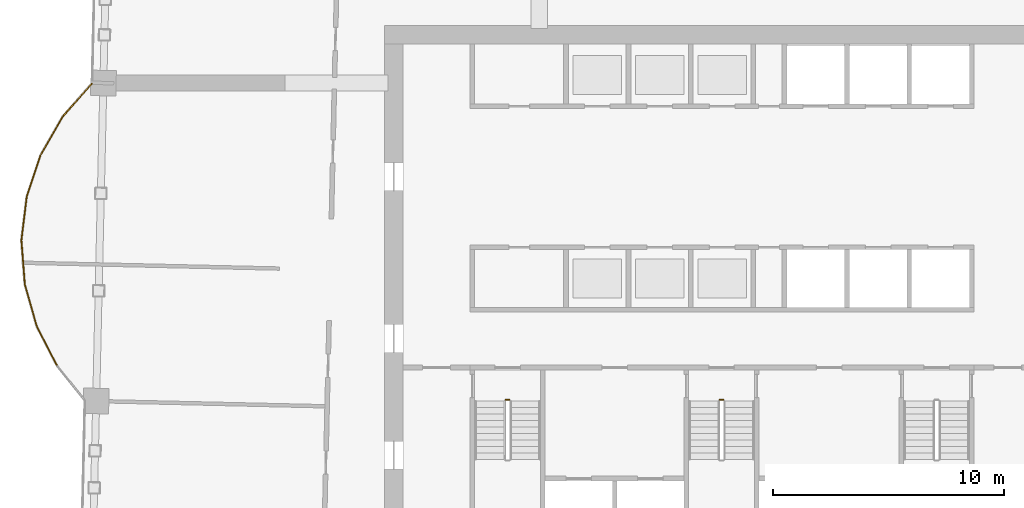
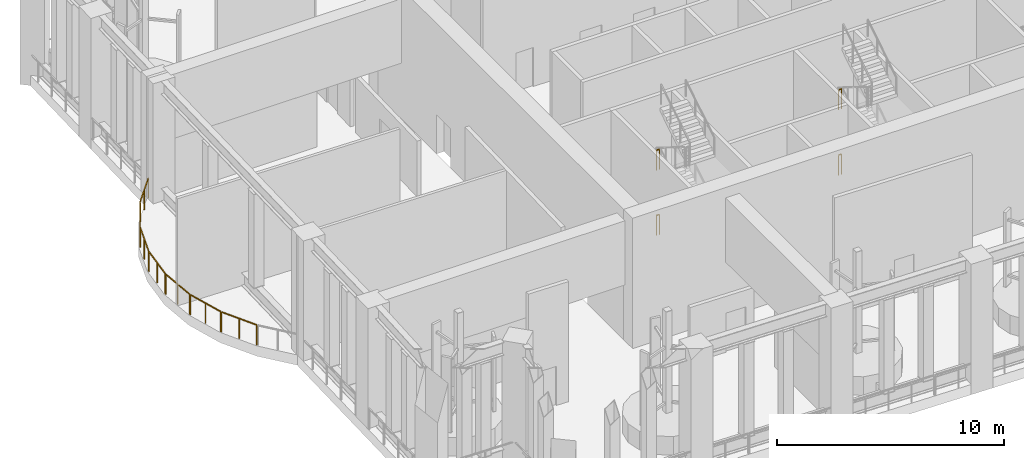
# One storey, part 29 of 33: 11 railings.
"""IFC4 building model written with IfcOpenShell, lengths in metres."""

from ifc_helpers import new_model, si_unit, direction, frame, origin, origin_2d, place, context, subcontext, project, spatial, rectangle, extrude, material, type_object, element, save


model = new_model("IFC4")

# Units and contexts
model_context = context("Model", 3, precision=1e-05, world=origin(), true_north=direction((0.0, 1.0)))
body_context = subcontext(model_context, "Body", "Model", "MODEL_VIEW")
ifc_project = project(units=[si_unit("LENGTHUNIT", "METRE"), si_unit("AREAUNIT", "SQUARE_METRE"), si_unit("VOLUMEUNIT", "CUBIC_METRE"), si_unit("PLANEANGLEUNIT", "RADIAN"), si_unit("MASSUNIT", "GRAM", prefix="KILO")], contexts=[model_context])

# Site, building, storey
site_placement = place(None, origin())
site = spatial("IfcSite", under=ifc_project, at=site_placement, CompositionType="ELEMENT")
building_placement = place(site_placement, origin())
building = spatial("IfcBuilding", under=site, at=building_placement, Name="Mangrove Gate Tower", CompositionType="ELEMENT")
storey_placement = place(building_placement, frame((0.0, 0.0, 219.5)))
storey = spatial("IfcBuildingStorey", under=building, at=storey_placement, Name="L56", CompositionType="ELEMENT", Elevation=219.5)

# Railings
ifc_material_1 = material(Name="Stainless steel grade 316 with laminated glass infill", Category="steel")
railing_type_1 = type_object("IfcRailingType", Name="Balcony guard 1100", PredefinedType="GUARDRAIL", material=ifc_material_1)
railing_1_placement = place(storey_placement, frame((-27.27001953125, 9.06494140625, 0.0)))
element("IfcRailing", 1, at=railing_1_placement, inside=storey, type_object=railing_type_1, Name="GUARD L56 slot 31", PredefinedType="GUARDRAIL", context=body_context, shape_type="SweptSolid", body=[
    extrude(rectangle(XDim=0.048095703125, YDim=0.048095703125, at=origin_2d()), frame((0.0, 0.0, 1.076171875), z_axis=(-0.660121307573, -0.751159010655, 0.0), x_axis=(0.751159010655, -0.660121307573, 0.0)), (0.0, 0.0, 1.0), 1.869140625),
    extrude(rectangle(XDim=0.0419921875, YDim=0.0419921875, at=origin_2d()), origin(), (0.0, 0.0, 1.0), 1.052001953125),
    extrude(rectangle(XDim=0.0419921875, YDim=0.0419921875, at=origin_2d()), frame((-0.616943359375, -0.7021484375, 0.0)), (0.0, 0.0, 1.0), 1.052001953125),
    extrude(rectangle(XDim=0.0419921875, YDim=0.0419921875, at=origin_2d()), frame((-1.23388671875, -1.404052734375, 0.0)), (0.0, 0.0, 1.0), 1.052001953125),
])
railing_2_placement = place(storey_placement, frame((-28.5380859375, 7.613037109375, 0.0)))
element("IfcRailing", 2, at=railing_2_placement, inside=storey, type_object=railing_type_1, Name="GUARD L56 slot 32", PredefinedType="GUARDRAIL", context=body_context, shape_type="SweptSolid", body=[
    extrude(rectangle(XDim=0.048095703125, YDim=0.048095703125, at=origin_2d()), frame((0.0, 0.0, 1.076171875), z_axis=(-0.49859319774, -0.866836099368, 0.0), x_axis=(0.866836099368, -0.49859319774, 0.0)), (0.0, 0.0, 1.0), 1.841064453125),
    extrude(rectangle(XDim=0.0419921875, YDim=0.0419921875, at=origin_2d()), origin(), (0.0, 0.0, 1.0), 1.052001953125),
    extrude(rectangle(XDim=0.0419921875, YDim=0.0419921875, at=origin_2d()), frame((-0.458984375, -0.7978515625, 0.0)), (0.0, 0.0, 1.0), 1.052001953125),
    extrude(rectangle(XDim=0.0419921875, YDim=0.0419921875, at=origin_2d()), frame((-0.91796875, -1.595947265625, 0.0)), (0.0, 0.0, 1.0), 1.052001953125),
])
railing_3_placement = place(storey_placement, frame((-29.47998046875, 5.9619140625, 0.0)))
element("IfcRailing", 3, at=railing_3_placement, inside=storey, type_object=railing_type_1, Name="GUARD L56 slot 33", PredefinedType="GUARDRAIL", context=body_context, shape_type="SweptSolid", body=[
    extrude(rectangle(XDim=0.048095703125, YDim=0.048095703125, at=origin_2d()), frame((0.0, 0.0, 1.076171875), z_axis=(-0.316745016142, -0.948510724636, 0.0), x_axis=(0.948510724636, -0.316745016142, 0.0)), (0.0, 0.0, 1.0), 1.840576171875),
    extrude(rectangle(XDim=0.0419921875, YDim=0.0419921875, at=origin_2d()), origin(), (0.0, 0.0, 1.0), 1.052001953125),
    extrude(rectangle(XDim=0.0419921875, YDim=0.0419921875, at=origin_2d()), frame((-0.29150390625, -0.873046875, 0.0)), (0.0, 0.0, 1.0), 1.052001953125),
    extrude(rectangle(XDim=0.0419921875, YDim=0.0419921875, at=origin_2d()), frame((-0.5830078125, -1.745849609375, 0.0)), (0.0, 0.0, 1.0), 1.052001953125),
])
railing_4_placement = place(storey_placement, frame((-30.075927734375, 4.157958984375, 0.0)))
element("IfcRailing", 4, at=railing_4_placement, inside=storey, type_object=railing_type_1, Name="GUARD L56 slot 34", PredefinedType="GUARDRAIL", context=body_context, shape_type="SweptSolid", body=[
    extrude(rectangle(XDim=0.048095703125, YDim=0.048095703125, at=origin_2d()), frame((0.0, 0.0, 1.076171875), z_axis=(-0.122287864435, -0.992494674148, 0.0), x_axis=(0.992494674148, -0.122287864435, 0.0)), (0.0, 0.0, 1.0), 1.8408203125),
    extrude(rectangle(XDim=0.0419921875, YDim=0.0419921875, at=origin_2d()), origin(), (0.0, 0.0, 1.0), 1.052001953125),
    extrude(rectangle(XDim=0.0419921875, YDim=0.0419921875, at=origin_2d()), frame((-0.112548828125, -0.91357421875, 0.0)), (0.0, 0.0, 1.0), 1.052001953125),
    extrude(rectangle(XDim=0.0419921875, YDim=0.0419921875, at=origin_2d()), frame((-0.22509765625, -1.826904296875, 0.0)), (0.0, 0.0, 1.0), 1.052001953125),
])
railing_5_placement = place(storey_placement, frame((-30.302001953125, 2.27099609375, 0.0)))
element("IfcRailing", 5, at=railing_5_placement, inside=storey, type_object=railing_type_1, Name="GUARD L56 slot 35", PredefinedType="GUARDRAIL", context=body_context, shape_type="SweptSolid", body=[
    extrude(rectangle(XDim=0.048095703125, YDim=0.048095703125, at=origin_2d()), frame((0.0, 0.0, 1.076171875), z_axis=(0.077203689265, -0.997015341088, 0.0), x_axis=(0.997015341088, 0.077203689265, 0.0)), (0.0, 0.0, 1.0), 1.84033203125),
    extrude(rectangle(XDim=0.0419921875, YDim=0.0419921875, at=origin_2d()), origin(), (0.0, 0.0, 1.0), 1.052001953125),
    extrude(rectangle(XDim=0.0419921875, YDim=0.0419921875, at=origin_2d()), frame((0.071044921875, -0.91748046875, 0.0)), (0.0, 0.0, 1.0), 1.052001953125),
    extrude(rectangle(XDim=0.0419921875, YDim=0.0419921875, at=origin_2d()), frame((0.14208984375, -1.8349609375, 0.0)), (0.0, 0.0, 1.0), 1.052001953125),
])
railing_6_placement = place(storey_placement, frame((-30.14990234375, 0.376953125, 0.0)))
element("IfcRailing", 6, at=railing_6_placement, inside=storey, type_object=railing_type_1, Name="GUARD L56 slot 36", PredefinedType="GUARDRAIL", context=body_context, shape_type="SweptSolid", body=[
    extrude(rectangle(XDim=0.048095703125, YDim=0.048095703125, at=origin_2d()), frame((0.0, 0.0, 1.076171875), z_axis=(0.27331894354, -0.961923466343, 0.0), x_axis=(0.961923466343, 0.27331894354, 0.0)), (0.0, 0.0, 1.0), 1.840087890625),
    extrude(rectangle(XDim=0.0419921875, YDim=0.0419921875, at=origin_2d()), origin(), (0.0, 0.0, 1.0), 1.052001953125),
    extrude(rectangle(XDim=0.0419921875, YDim=0.0419921875, at=origin_2d()), frame((0.25146484375, -0.885009765625, 0.0)), (0.0, 0.0, 1.0), 1.052001953125),
    extrude(rectangle(XDim=0.0419921875, YDim=0.0419921875, at=origin_2d()), frame((0.5029296875, -1.77001953125, 0.0)), (0.0, 0.0, 1.0), 1.052001953125),
])
railing_7_placement = place(storey_placement, frame((-29.625, -1.448974609375, 0.0)))
element("IfcRailing", 7, at=railing_7_placement, inside=storey, type_object=railing_type_1, Name="GUARD L56 slot 37", PredefinedType="GUARDRAIL", context=body_context, shape_type="SweptSolid", body=[
    extrude(rectangle(XDim=0.048095703125, YDim=0.048095703125, at=origin_2d()), frame((0.0, 0.0, 1.076171875), z_axis=(0.458477378377, -0.888706078249, 0.0), x_axis=(0.888706078249, 0.458477378377, 0.0)), (0.0, 0.0, 1.0), 1.8408203125),
    extrude(rectangle(XDim=0.0419921875, YDim=0.0419921875, at=origin_2d()), origin(), (0.0, 0.0, 1.0), 1.052001953125),
    extrude(rectangle(XDim=0.0419921875, YDim=0.0419921875, at=origin_2d()), frame((0.421875, -0.81787109375, 0.0)), (0.0, 0.0, 1.0), 1.052001953125),
    extrude(rectangle(XDim=0.0419921875, YDim=0.0419921875, at=origin_2d()), frame((0.843994140625, -1.635986328125, 0.0)), (0.0, 0.0, 1.0), 1.052001953125),
])
ifc_material_2 = material(Name="Stainless steel 316", Category="steel")
railing_type_2 = type_object("IfcRailingType", Name="Core stair guard 1100", PredefinedType="GUARDRAIL", material=ifc_material_2)
for number, where, name in (
    (8, (-9.35009765625, -4.60009765625, 3.5), "L56 ST1 stair guard 4"),
    (9, (-9.35009765625, -4.60009765625, 0.0), "L56 ST1 stair guard 8"),
    (10, (-0.10009765625, -4.60009765625, 3.5), "L56 ST2 stair guard 4"),
    (11, (-0.10009765625, -4.60009765625, 0.0), "L56 ST2 stair guard 8"),
):
    element("IfcRailing", number, at=place(storey_placement, frame(where)), inside=storey, type_object=railing_type_2, Name=name, PredefinedType="GUARDRAIL", context=body_context, shape_type="SweptSolid", body=[
        extrude(rectangle(XDim=0.048095703125, YDim=0.048095703125, at=origin_2d()), frame((0.0, 0.0, 1.076171875), z_axis=(1.0, 0.0, 0.0), x_axis=(0.0, 1.0, 0.0)), (0.0, 0.0, 1.0), 0.150146484375),
        extrude(rectangle(XDim=0.0419921875, YDim=0.0419921875, at=origin_2d()), origin(), (0.0, 0.0, 1.0), 1.052001953125),
        extrude(rectangle(XDim=0.0419921875, YDim=0.0419921875, at=origin_2d()), frame((0.150146484375, 0.0, 0.0)), (0.0, 0.0, 1.0), 1.052001953125),
    ])

save(model, "model.ifc")
